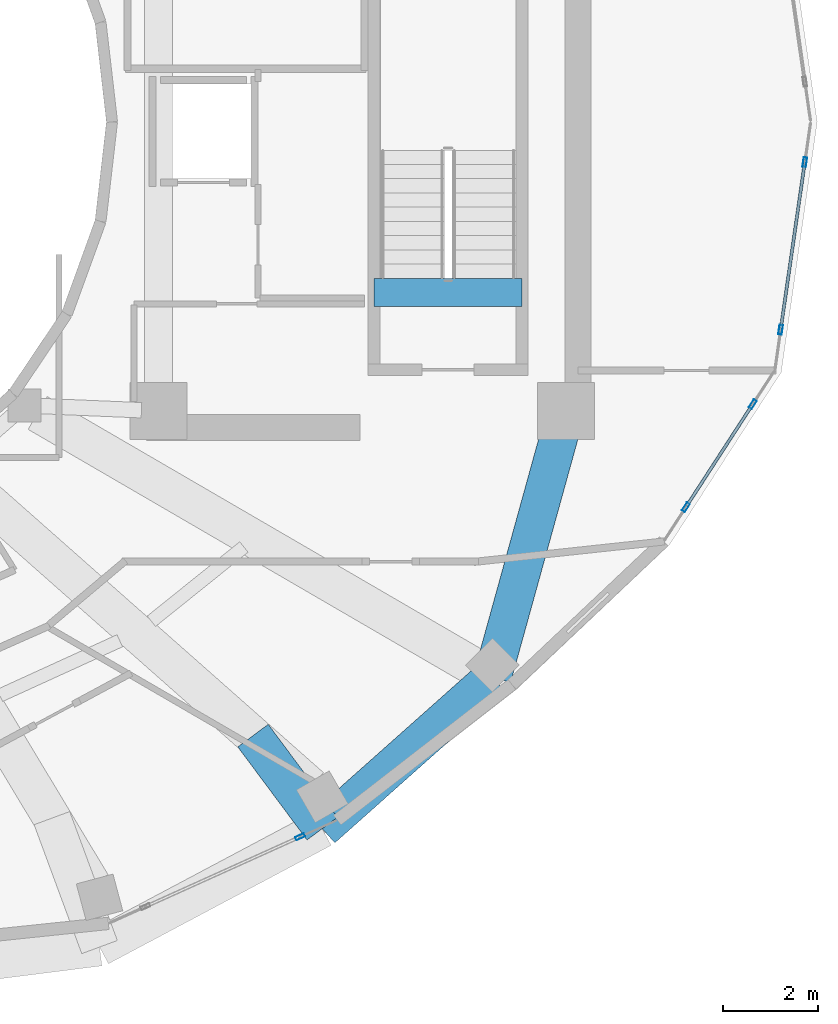
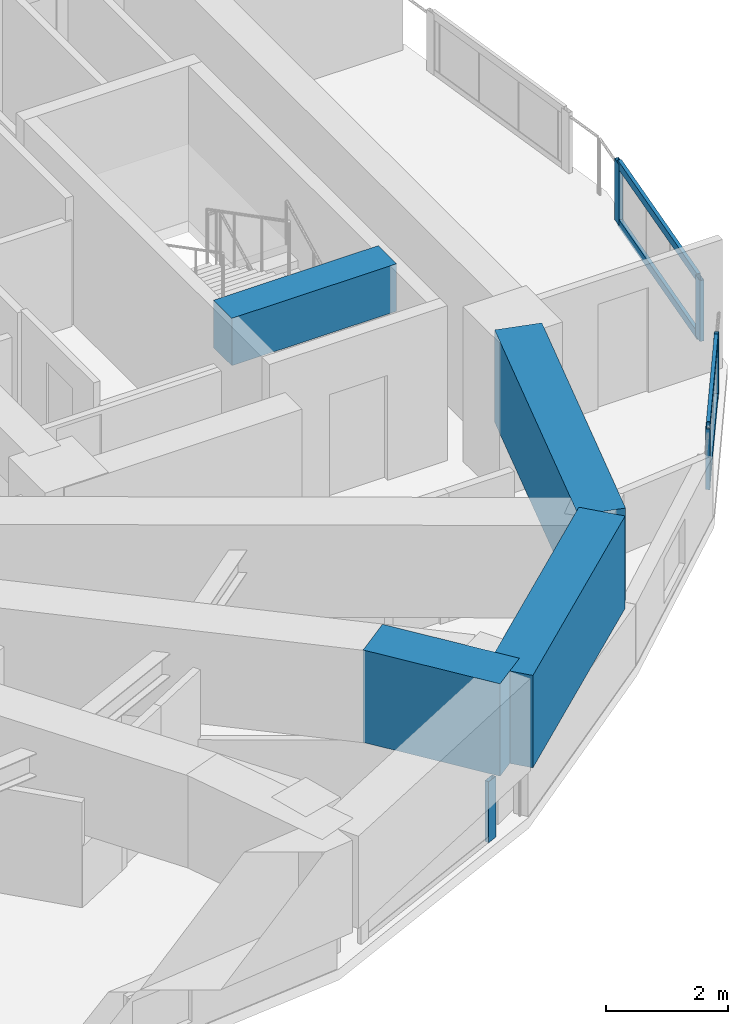
# One storey, part 8 of 20: 9 members, 4 beams, 3 elements without a shape of their own.
"""IFC4 building model written with IfcOpenShell, lengths in metres."""

from ifc_helpers import new_model, si_unit, direction, frame, origin, origin_2d, place, context, subcontext, project, spatial, rectangle, hollow_rectangle, extrude, material, layer, layer_set, material_profile, profile_set, type_object, element, aggregate, save


model = new_model("IFC4")

# Units and contexts
model_context = context("Model", 3, precision=1e-05, world=origin(), true_north=direction((0.0, 1.0)))
body_context = subcontext(model_context, "Body", "Model", "MODEL_VIEW")
ifc_project = project(units=[si_unit("LENGTHUNIT", "METRE"), si_unit("AREAUNIT", "SQUARE_METRE"), si_unit("VOLUMEUNIT", "CUBIC_METRE"), si_unit("PLANEANGLEUNIT", "RADIAN"), si_unit("MASSUNIT", "GRAM", prefix="KILO")], contexts=[model_context])

# Site, building, storey
site_placement = place(None, origin())
site = spatial("IfcSite", under=ifc_project, at=site_placement, CompositionType="ELEMENT")
building_placement = place(site_placement, origin())
building = spatial("IfcBuilding", under=site, at=building_placement, Name="Solvane Sanctuary Tower", CompositionType="ELEMENT")
storey_placement = place(building_placement, frame((0.0, 0.0, 217.10009765625)))
storey = spatial("IfcBuildingStorey", under=building, at=storey_placement, Name="L66", CompositionType="ELEMENT", Elevation=217.10009765625)

# Beams
ifc_material_1 = material(Name="Concrete C70/85", Category="concrete")
ifc_material_profile_1 = material_profile(ifc_material_1, rectangle(XDim=0.60009765625, YDim=0.949951171875, at=origin_2d()), Name="RC600X950")
ifc_profile_set_1 = profile_set([ifc_material_profile_1], Name="Concrete C70/85")
beam_type_1 = type_object("IfcBeamType", Name="Beam B-COUPLE RC600X950", PredefinedType="LINTEL", material=ifc_profile_set_1)
beam_1_placement = place(storey_placement, frame((44.64990234375, 19.399169921875, 2.625), z_axis=(1.0, 0.0, 0.0), x_axis=(0.0, 1.0, 0.0)))
element("IfcBeam", 1, at=beam_1_placement, inside=storey, type_object=beam_type_1, Name="L66 ST-2 Stair Floor Landing Trimmer", PredefinedType="LINTEL", context=body_context, shape_type="SweptSolid", body=[
    extrude(rectangle(XDim=0.60009765625, YDim=0.949951171875, at=origin_2d()), origin(), (0.0, 0.0, 1.0), 3.1201171875),
])
ifc_material_profile_2 = material_profile(ifc_material_1, rectangle(XDim=0.800048828125, YDim=1.85009765625, at=origin_2d()), Name="RC800X1850")
ifc_profile_set_2 = profile_set([ifc_material_profile_2], Name="Concrete C70/85")
beam_type_2 = type_object("IfcBeamType", Name="Beam B-XFER-BLK RC800X1850", PredefinedType="BEAM", material=ifc_profile_set_2)
beam_2_placement = place(storey_placement, frame((42.093994140625, 10.0498046875, 2.1748046875), z_axis=(0.596979418158, -0.80225655142, 0.0), x_axis=(0.80225655142, 0.596979418158, 0.0)))
element("IfcBeam", 2, at=beam_2_placement, inside=storey, type_object=beam_type_2, Name="L66 Block-Shift Transfer Tie 13B", PredefinedType="BEAM", context=body_context, shape_type="SweptSolid", body=[
    extrude(rectangle(XDim=0.800048828125, YDim=1.85009765625, at=origin_2d()), origin(), (0.0, 0.0, 1.0), 2.447509765625),
])
beam_3_placement = place(storey_placement, frame((43.55517578125, 8.086181640625, 2.1748046875), z_axis=(0.74721302735, 0.664584600904, 0.0), x_axis=(-0.664584600904, 0.74721302735, 0.0)))
element("IfcBeam", 3, at=beam_3_placement, inside=storey, type_object=beam_type_2, Name="L66 Perimeter Step Transfer Ring NTC13-NTC14", PredefinedType="BEAM", context=body_context, shape_type="SweptSolid", body=[
    extrude(rectangle(XDim=0.800048828125, YDim=1.85009765625, at=origin_2d()), origin(), (0.0, 0.0, 1.0), 4.80419921875),
])
beam_4_placement = place(storey_placement, frame((47.14501953125, 11.279052734375, 2.1748046875), z_axis=(0.266626617927, 0.963799899675, 0.0), x_axis=(-0.963799899675, 0.266626617927, 0.0)))
element("IfcBeam", 4, at=beam_4_placement, inside=storey, type_object=beam_type_2, Name="L66 Perimeter Step Transfer Ring NTC14-CE2", PredefinedType="BEAM", context=body_context, shape_type="SweptSolid", body=[
    extrude(rectangle(XDim=0.800048828125, YDim=1.85009765625, at=origin_2d()), origin(), (0.0, 0.0, 1.0), 5.471923828125),
])

# Curtain wall, member
ifc_material_2 = material(Name="Anodised Aluminium 6063-T6", Category="aluminium")
ifc_layer_1 = layer(ifc_material_2, 0.18994140625, Name="Anodised Aluminium 6063-T6")
ifc_layer_set_1 = layer_set([ifc_layer_1], Name="Anodised Aluminium 6063-T6")
curtain_wall_type_1 = type_object("IfcCurtainWallType", Name="Curtain Wall CW-OPER", PredefinedType="NOTDEFINED", material=ifc_layer_set_1)
curtain_wall_1_placement = place(storey_placement, origin())
curtain_wall_1 = element("IfcCurtainWall", 5, at=curtain_wall_1_placement, inside=storey, type_object=curtain_wall_type_1, Name="L66 CW-OPER Facade Run 19", PredefinedType="NOTDEFINED")
ifc_material_profile_3 = material_profile(ifc_material_2, hollow_rectangle(XDim=0.074951171875, YDim=0.199951171875, WallThickness=0.00390625, at=origin_2d()), Name="ALU200X75X4")
ifc_profile_set_3 = profile_set([ifc_material_profile_3], Name="Anodised Aluminium 6063-T6")
member_type_1 = type_object("IfcMemberType", Name="Member M-CW-MUL-1 ALU200X75X4", PredefinedType="MULLION", material=ifc_profile_set_3)
member_1_placement = place(storey_placement, frame((43.088623046875, 7.91455078125, 0.0), z_axis=(0.0, 0.0, 1.0), x_axis=(-0.411470931711, 0.911422883385, 0.0)))
member_1 = element("IfcMember", 6, at=member_1_placement, type_object=member_type_1, Name="CW-OPER mullion 2", PredefinedType="MULLION", context=body_context, shape_type="SweptSolid", body=[
    extrude(hollow_rectangle(XDim=0.074951171875, YDim=0.199951171875, WallThickness=0.00390625, at=origin_2d()), origin(), (0.0, 0.0, 1.0), 1.219970703125),
])
aggregate(curtain_wall_1, [member_1])

# Curtain wall, members
ifc_layer_2 = layer(ifc_material_2, 0.2099609375, Name="Anodised Aluminium 6063-T6")
ifc_layer_set_2 = layer_set([ifc_layer_2], Name="Anodised Aluminium 6063-T6")
curtain_wall_type_2 = type_object("IfcCurtainWallType", Name="Curtain Wall CW-PORTAL", PredefinedType="NOTDEFINED", material=ifc_layer_set_2)
curtain_wall_2_placement = place(storey_placement, origin())
curtain_wall_2 = element("IfcCurtainWall", 7, at=curtain_wall_2_placement, inside=storey, type_object=curtain_wall_type_2, Name="L66 CW-PORTAL Facade Run 22", PredefinedType="NOTDEFINED")
member_2_placement = place(storey_placement, frame((51.227783203125, 14.869873046875, 0.0), z_axis=(0.0, 0.0, 1.0), x_axis=(-0.838777857586, 0.54447378782, 0.0)))
member_2 = element("IfcMember", 8, at=member_2_placement, type_object=member_type_1, Name="CW-PORTAL mullion 1", PredefinedType="MULLION", context=body_context, shape_type="SweptSolid", body=[
    extrude(hollow_rectangle(XDim=0.074951171875, YDim=0.199951171875, WallThickness=0.00390625, at=origin_2d()), origin(), (0.0, 0.0, 1.0), 1.219970703125),
])
member_3_placement = place(storey_placement, frame((52.6376953125, 17.0419921875, 0.0), z_axis=(0.0, 0.0, 1.0), x_axis=(-0.838777857586, 0.54447378782, 0.0)))
member_3 = element("IfcMember", 9, at=member_3_placement, type_object=member_type_1, Name="CW-PORTAL mullion 2", PredefinedType="MULLION", context=body_context, shape_type="SweptSolid", body=[
    extrude(hollow_rectangle(XDim=0.074951171875, YDim=0.199951171875, WallThickness=0.00390625, at=origin_2d()), origin(), (0.0, 0.0, 1.0), 1.219970703125),
])

curtain_wall_3_placement = place(storey_placement, origin())
curtain_wall_3 = element("IfcCurtainWall", 10, at=curtain_wall_3_placement, inside=storey, type_object=curtain_wall_type_2, Name="L66 CW-PORTAL Facade Run 23", PredefinedType="NOTDEFINED")
member_4_placement = place(storey_placement, frame((53.22705078125, 18.60986328125, 0.0), z_axis=(0.0, 0.0, 1.0), x_axis=(-0.989765249591, 0.142705117998, 0.0)))
member_4 = element("IfcMember", 11, at=member_4_placement, type_object=member_type_1, Name="CW-PORTAL mullion 1", PredefinedType="MULLION", context=body_context, shape_type="SweptSolid", body=[
    extrude(hollow_rectangle(XDim=0.074951171875, YDim=0.199951171875, WallThickness=0.00390625, at=origin_2d()), origin(), (0.0, 0.0, 1.0), 1.219970703125),
])
member_5_placement = place(storey_placement, frame((53.737548828125, 22.1513671875, 0.0), z_axis=(0.0, 0.0, 1.0), x_axis=(-0.989765249591, 0.142705117998, 0.0)))
member_5 = element("IfcMember", 12, at=member_5_placement, type_object=member_type_1, Name="CW-PORTAL mullion 2", PredefinedType="MULLION", context=body_context, shape_type="SweptSolid", body=[
    extrude(hollow_rectangle(XDim=0.074951171875, YDim=0.199951171875, WallThickness=0.00390625, at=origin_2d()), origin(), (0.0, 0.0, 1.0), 1.219970703125),
])

# Member
ifc_material_profile_4 = material_profile(ifc_material_2, hollow_rectangle(XDim=0.06494140625, YDim=0.159912109375, WallThickness=0.00341796875, at=origin_2d()), Name="ALU160X65X3.5")
ifc_profile_set_4 = profile_set([ifc_material_profile_4], Name="Anodised Aluminium 6063-T6")
member_type_2 = type_object("IfcMemberType", Name="Member M-CW-TRN-1 ALU160X65X3.5", PredefinedType="USERDEFINED", material=ifc_profile_set_4)
member_6_placement = place(storey_placement, frame((51.248291015625, 14.9013671875, 0.032470703125), z_axis=(0.544486587531, 0.838769548802, 0.0), x_axis=(-0.838769548802, 0.544486587531, 0.0)))
member_6 = element("IfcMember", 13, at=member_6_placement, type_object=member_type_2, Name="CW-PORTAL transom 1.1", ObjectType="TRANSOM", PredefinedType="USERDEFINED", context=body_context, shape_type="SweptSolid", body=[
    extrude(hollow_rectangle(XDim=0.06494140625, YDim=0.159912109375, WallThickness=0.00341796875, at=origin_2d()), origin(), (0.0, 0.0, 1.0), 2.5146484375),
])

member_7_placement = place(storey_placement, frame((51.248291015625, 14.9013671875, 1.1875), z_axis=(0.544486587531, 0.838769548802, 0.0), x_axis=(-0.838769548802, 0.544486587531, 0.0)))
member_7 = element("IfcMember", 14, at=member_7_placement, type_object=member_type_2, Name="CW-PORTAL transom 1.2", ObjectType="TRANSOM", PredefinedType="USERDEFINED", context=body_context, shape_type="SweptSolid", body=[
    extrude(hollow_rectangle(XDim=0.06494140625, YDim=0.159912109375, WallThickness=0.00341796875, at=origin_2d()), origin(), (0.0, 0.0, 1.0), 2.5146484375),
])

aggregate(curtain_wall_2, [member_2, member_3, member_6, member_7])

member_8_placement = place(storey_placement, frame((53.232421875, 18.64697265625, 0.032470703125), z_axis=(0.142660376615, 0.989771699406, 0.0), x_axis=(-0.989771699406, 0.142660376615, 0.0)))
member_8 = element("IfcMember", 15, at=member_8_placement, type_object=member_type_2, Name="CW-PORTAL transom 1.1", ObjectType="TRANSOM", PredefinedType="USERDEFINED", context=body_context, shape_type="SweptSolid", body=[
    extrude(hollow_rectangle(XDim=0.06494140625, YDim=0.159912109375, WallThickness=0.00341796875, at=origin_2d()), origin(), (0.0, 0.0, 1.0), 3.503173828125),
])

member_9_placement = place(storey_placement, frame((53.232421875, 18.64697265625, 1.1875), z_axis=(0.142660376615, 0.989771699406, 0.0), x_axis=(-0.989771699406, 0.142660376615, 0.0)))
member_9 = element("IfcMember", 16, at=member_9_placement, type_object=member_type_2, Name="CW-PORTAL transom 1.2", ObjectType="TRANSOM", PredefinedType="USERDEFINED", context=body_context, shape_type="SweptSolid", body=[
    extrude(hollow_rectangle(XDim=0.06494140625, YDim=0.159912109375, WallThickness=0.00341796875, at=origin_2d()), origin(), (0.0, 0.0, 1.0), 3.503173828125),
])

aggregate(curtain_wall_3, [member_4, member_5, member_8, member_9])

save(model, "model.ifc")
